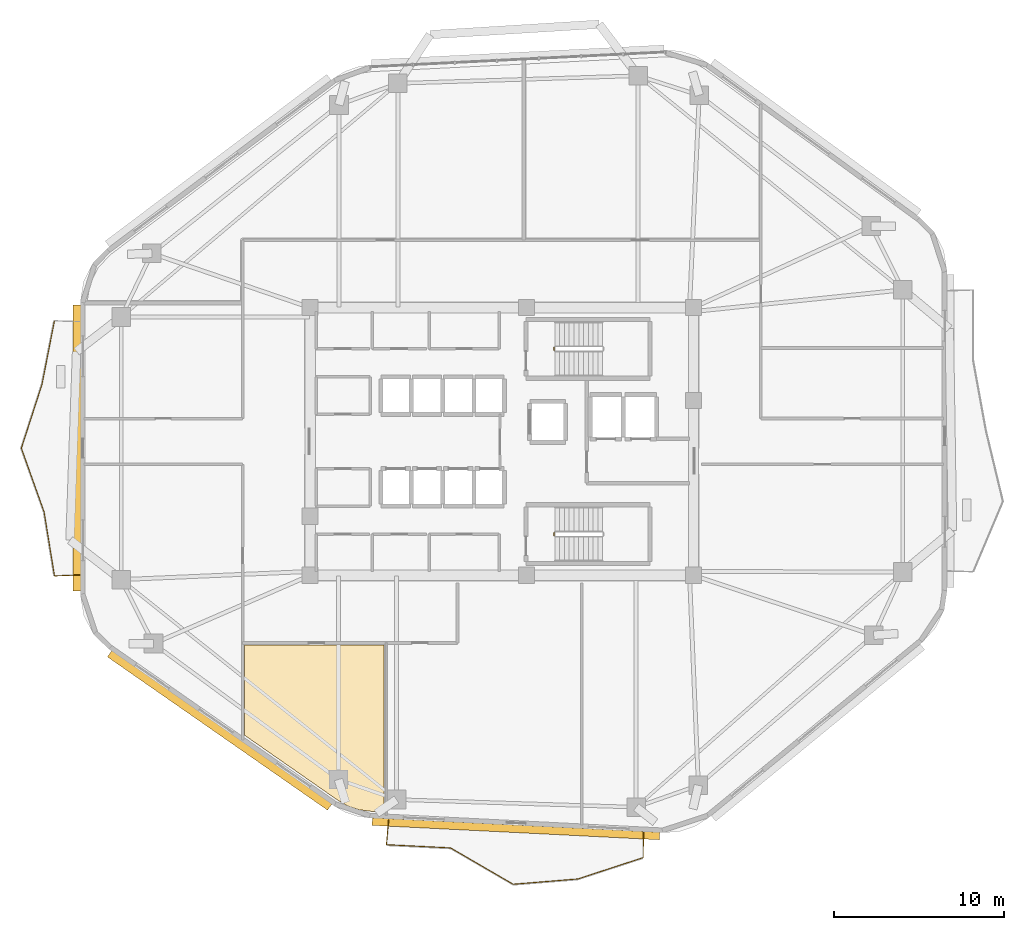
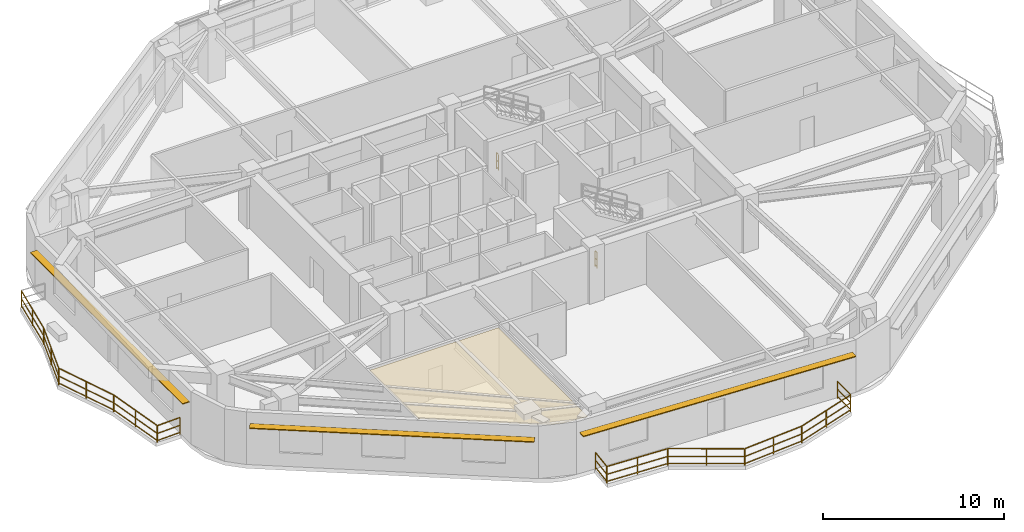
# One storey, part 12 of 14: 13 railings, 3 shading devices, 1 covering.
"""IFC4 building model written with IfcOpenShell, lengths in metres."""

from ifc_helpers import new_model, si_unit, direction, frame, origin, origin_2d, place, context, subcontext, project, spatial, polyline, rectangle, outline, extrude, material, layer, layer_set, type_object, element, save


model = new_model("IFC4")

# Units and contexts
model_context = context("Model", 3, precision=1e-05, world=origin(), true_north=direction((0.0, 1.0)))
body_context = subcontext(model_context, "Body", "Model", "MODEL_VIEW")
ifc_project = project(units=[si_unit("LENGTHUNIT", "METRE"), si_unit("AREAUNIT", "SQUARE_METRE"), si_unit("VOLUMEUNIT", "CUBIC_METRE"), si_unit("PLANEANGLEUNIT", "RADIAN"), si_unit("MASSUNIT", "GRAM", prefix="KILO")], contexts=[model_context])

# Site, building, storey
site_placement = place(None, origin())
site = spatial("IfcSite", under=ifc_project, at=site_placement, CompositionType="ELEMENT")
building_placement = place(site_placement, origin())
building = spatial("IfcBuilding", under=site, at=building_placement, Name="Zulverin Broadcast Headquarters", CompositionType="ELEMENT")
storey_placement = place(building_placement, frame((0.0, 0.0, 147.800048828125)))
storey = spatial("IfcBuildingStorey", under=building, at=storey_placement, Name="L37", CompositionType="ELEMENT", Elevation=147.800048828125)

# Covering
ifc_material_1 = material(Name="Perforated pale-metal acoustic baffle ceiling", Category="aluminium")
ifc_layer_1 = layer(ifc_material_1, 0.0400390625, Name="Perforated pale-metal acoustic baffle ceiling", Category="aluminium")
ifc_layer_set_1 = layer_set([ifc_layer_1], Name="Perforated pale-metal acoustic baffle ceiling")
covering_type = type_object("IfcCoveringType", Name="COV-CEIL-ACOU", PredefinedType="CEILING", material=ifc_layer_set_1)
covering_placement = place(storey_placement, frame((0.0, 0.0, 3.35986328125)))
element("IfcCovering", 1, at=covering_placement, inside=storey, type_object=covering_type, Name="L37 Acoustic Baffle Ceiling 03", PredefinedType="CEILING", context=body_context, shape_type="SweptSolid", body=[
    extrude(outline(polyline([(27.947998046875, 3.748046875), (28.56396484375, 3.535888671875), (29.22802734375, 3.444091796875), (30.080078125, 3.39990234375), (30.080078125, 13.23193359375), (21.8720703125, 13.23193359375), (21.8720703125, 7.907958984375), (27.367919921875, 4.075927734375), (27.947998046875, 3.748046875)])), origin(), (0.0, 0.0, 1.0), 0.0400390625),
])

# Railings
ifc_material_2 = material(Name="Brushed stainless steel & laminated glass balustrade", Category="steel")
railing_type_1 = type_object("IfcRailingType", Name="RL-GUARD-1150", PredefinedType="GUARDRAIL", material=ifc_material_2)
railing_1_placement = place(storey_placement, frame((30.344482421875, 2.94580078125, 0.0)))
element("IfcRailing", 2, at=railing_1_placement, inside=storey, type_object=railing_type_1, Name="L37 Vertical-Forest Balcony Guardrail BAL_S Segment 01", PredefinedType="GUARDRAIL", context=body_context, shape_type="SweptSolid", body=[
    extrude(rectangle(XDim=0.048095703125, YDim=0.048095703125, at=origin_2d()), frame((0.0, 0.0, 1.1259765625), z_axis=(-0.090580785215, -0.995889110971, 0.0), x_axis=(0.995889110971, -0.090580785215, 0.0)), (0.0, 0.0, 1.0), 1.46630859375),
    extrude(rectangle(XDim=0.0419921875, YDim=0.0419921875, at=origin_2d()), frame((0.0, 0.0, 0.597900390625), z_axis=(-0.090580785215, -0.995889110971, 0.0), x_axis=(0.995889110971, -0.090580785215, 0.0)), (0.0, 0.0, 1.0), 1.46630859375),
    extrude(rectangle(XDim=0.0419921875, YDim=0.0419921875, at=origin_2d()), frame((0.0, 0.0, 0.1201171875), z_axis=(-0.090580785215, -0.995889110971, 0.0), x_axis=(0.995889110971, -0.090580785215, 0.0)), (0.0, 0.0, 1.0), 1.46630859375),
    extrude(rectangle(XDim=0.0419921875, YDim=0.0419921875, at=origin_2d()), origin(), (0.0, 0.0, 1.0), 1.101806640625),
    extrude(rectangle(XDim=0.0419921875, YDim=0.0419921875, at=origin_2d()), frame((-0.1328125, -1.460205078125, 0.0)), (0.0, 0.0, 1.0), 1.101806640625),
])
railing_2_placement = place(storey_placement, frame((30.225341796875, 1.469970703125, 0.0)))
element("IfcRailing", 3, at=railing_2_placement, inside=storey, type_object=railing_type_1, Name="L37 Vertical-Forest Balcony Guardrail BAL_S Segment 02", PredefinedType="GUARDRAIL", context=body_context, shape_type="SweptSolid", body=[
    extrude(rectangle(XDim=0.048095703125, YDim=0.048095703125, at=origin_2d()), frame((0.0, 0.0, 1.1259765625), z_axis=(0.998744865879, -0.050086853375, 0.0), x_axis=(0.050086853375, 0.998744865879, 0.0)), (0.0, 0.0, 1.0), 3.753173828125),
    extrude(rectangle(XDim=0.0419921875, YDim=0.0419921875, at=origin_2d()), frame((0.0, 0.0, 0.597900390625), z_axis=(0.998744865879, -0.050086853375, 0.0), x_axis=(0.050086853375, 0.998744865879, 0.0)), (0.0, 0.0, 1.0), 3.753173828125),
    extrude(rectangle(XDim=0.0419921875, YDim=0.0419921875, at=origin_2d()), frame((0.0, 0.0, 0.1201171875), z_axis=(0.998744865879, -0.050086853375, 0.0), x_axis=(0.050086853375, 0.998744865879, 0.0)), (0.0, 0.0, 1.0), 3.753173828125),
    extrude(rectangle(XDim=0.0419921875, YDim=0.0419921875, at=origin_2d()), origin(), (0.0, 0.0, 1.0), 1.101806640625),
    extrude(rectangle(XDim=0.0419921875, YDim=0.0419921875, at=origin_2d()), frame((1.874267578125, -0.093994140625, 0.0)), (0.0, 0.0, 1.0), 1.101806640625),
    extrude(rectangle(XDim=0.0419921875, YDim=0.0419921875, at=origin_2d()), frame((3.74853515625, -0.18798828125, 0.0)), (0.0, 0.0, 1.0), 1.101806640625),
])
railing_3_placement = place(storey_placement, frame((34.001708984375, 1.273681640625, 0.0)))
element("IfcRailing", 4, at=railing_3_placement, inside=storey, type_object=railing_type_1, Name="L37 Vertical-Forest Balcony Guardrail BAL_S Segment 03", PredefinedType="GUARDRAIL", context=body_context, shape_type="SweptSolid", body=[
    extrude(rectangle(XDim=0.048095703125, YDim=0.048095703125, at=origin_2d()), frame((0.0, 0.0, 1.1259765625), z_axis=(0.864795420214, -0.502124368236, 0.0), x_axis=(0.502124368236, 0.864795420214, 0.0)), (0.0, 0.0, 1.0), 4.22607421875),
    extrude(rectangle(XDim=0.0419921875, YDim=0.0419921875, at=origin_2d()), frame((0.0, 0.0, 0.597900390625), z_axis=(0.864795420214, -0.502124368236, 0.0), x_axis=(0.502124368236, 0.864795420214, 0.0)), (0.0, 0.0, 1.0), 4.22607421875),
    extrude(rectangle(XDim=0.0419921875, YDim=0.0419921875, at=origin_2d()), frame((0.0, 0.0, 0.1201171875), z_axis=(0.864795420214, -0.502124368236, 0.0), x_axis=(0.502124368236, 0.864795420214, 0.0)), (0.0, 0.0, 1.0), 4.22607421875),
    extrude(rectangle(XDim=0.0419921875, YDim=0.0419921875, at=origin_2d()), origin(), (0.0, 0.0, 1.0), 1.101806640625),
    extrude(rectangle(XDim=0.0419921875, YDim=0.0419921875, at=origin_2d()), frame((1.827392578125, -1.06103515625, 0.0)), (0.0, 0.0, 1.0), 1.101806640625),
    extrude(rectangle(XDim=0.0419921875, YDim=0.0419921875, at=origin_2d()), frame((3.65478515625, -2.1220703125, 0.0)), (0.0, 0.0, 1.0), 1.101806640625),
])
railing_4_placement = place(storey_placement, frame((37.6845703125, -0.854736328125, 0.0)))
element("IfcRailing", 5, at=railing_4_placement, inside=storey, type_object=railing_type_1, Name="L37 Vertical-Forest Balcony Guardrail BAL_S Segment 04", PredefinedType="GUARDRAIL", context=body_context, shape_type="SweptSolid", body=[
    extrude(rectangle(XDim=0.048095703125, YDim=0.048095703125, at=origin_2d()), frame((0.0, 0.0, 1.1259765625), z_axis=(0.996693574296, 0.081252193557, 0.0), x_axis=(-0.081252193557, 0.996693574296, 0.0)), (0.0, 0.0, 1.0), 3.785888671875),
    extrude(rectangle(XDim=0.0419921875, YDim=0.0419921875, at=origin_2d()), frame((0.0, 0.0, 0.597900390625), z_axis=(0.996693574296, 0.081252193557, 0.0), x_axis=(-0.081252193557, 0.996693574296, 0.0)), (0.0, 0.0, 1.0), 3.785888671875),
    extrude(rectangle(XDim=0.0419921875, YDim=0.0419921875, at=origin_2d()), frame((0.0, 0.0, 0.1201171875), z_axis=(0.996693574296, 0.081252193557, 0.0), x_axis=(-0.081252193557, 0.996693574296, 0.0)), (0.0, 0.0, 1.0), 3.785888671875),
    extrude(rectangle(XDim=0.0419921875, YDim=0.0419921875, at=origin_2d()), origin(), (0.0, 0.0, 1.0), 1.101806640625),
    extrude(rectangle(XDim=0.0419921875, YDim=0.0419921875, at=origin_2d()), frame((1.88671875, 0.15380859375, 0.0)), (0.0, 0.0, 1.0), 1.101806640625),
    extrude(rectangle(XDim=0.0419921875, YDim=0.0419921875, at=origin_2d()), frame((3.7734375, 0.3076171875, 0.0)), (0.0, 0.0, 1.0), 1.101806640625),
])
railing_5_placement = place(storey_placement, frame((41.4873046875, -0.541259765625, 0.0)))
element("IfcRailing", 6, at=railing_5_placement, inside=storey, type_object=railing_type_1, Name="L37 Vertical-Forest Balcony Guardrail BAL_S Segment 05", PredefinedType="GUARDRAIL", context=body_context, shape_type="SweptSolid", body=[
    extrude(rectangle(XDim=0.048095703125, YDim=0.048095703125, at=origin_2d()), frame((0.0, 0.0, 1.1259765625), z_axis=(0.95054255592, 0.310594348604, 0.0), x_axis=(-0.310594348604, 0.95054255592, 0.0)), (0.0, 0.0, 1.0), 4.021484375),
    extrude(rectangle(XDim=0.0419921875, YDim=0.0419921875, at=origin_2d()), frame((0.0, 0.0, 0.597900390625), z_axis=(0.95054255592, 0.310594348604, 0.0), x_axis=(-0.310594348604, 0.95054255592, 0.0)), (0.0, 0.0, 1.0), 4.021484375),
    extrude(rectangle(XDim=0.0419921875, YDim=0.0419921875, at=origin_2d()), frame((0.0, 0.0, 0.1201171875), z_axis=(0.95054255592, 0.310594348604, 0.0), x_axis=(-0.310594348604, 0.95054255592, 0.0)), (0.0, 0.0, 1.0), 4.021484375),
    extrude(rectangle(XDim=0.0419921875, YDim=0.0419921875, at=origin_2d()), origin(), (0.0, 0.0, 1.0), 1.101806640625),
    extrude(rectangle(XDim=0.0419921875, YDim=0.0419921875, at=origin_2d()), frame((1.9111328125, 0.62451171875, 0.0)), (0.0, 0.0, 1.0), 1.101806640625),
    extrude(rectangle(XDim=0.0419921875, YDim=0.0419921875, at=origin_2d()), frame((3.822509765625, 1.2490234375, 0.0)), (0.0, 0.0, 1.0), 1.101806640625),
])
railing_6_placement = place(storey_placement, frame((45.32421875, 0.7275390625, 0.0)))
element("IfcRailing", 7, at=railing_6_placement, inside=storey, type_object=railing_type_1, Name="L37 Vertical-Forest Balcony Guardrail BAL_S Segment 06", PredefinedType="GUARDRAIL", context=body_context, shape_type="SweptSolid", body=[
    extrude(rectangle(XDim=0.048095703125, YDim=0.048095703125, at=origin_2d()), frame((0.0, 0.0, 1.1259765625), z_axis=(0.009658167329, 0.999953358814, 0.0), x_axis=(-0.999953358814, 0.009658167329, 0.0)), (0.0, 0.0, 1.0), 1.466064453125),
    extrude(rectangle(XDim=0.0419921875, YDim=0.0419921875, at=origin_2d()), frame((0.0, 0.0, 0.597900390625), z_axis=(0.009658167329, 0.999953358814, 0.0), x_axis=(-0.999953358814, 0.009658167329, 0.0)), (0.0, 0.0, 1.0), 1.466064453125),
    extrude(rectangle(XDim=0.0419921875, YDim=0.0419921875, at=origin_2d()), frame((0.0, 0.0, 0.1201171875), z_axis=(0.009658167329, 0.999953358814, 0.0), x_axis=(-0.999953358814, 0.009658167329, 0.0)), (0.0, 0.0, 1.0), 1.466064453125),
    extrude(rectangle(XDim=0.0419921875, YDim=0.0419921875, at=origin_2d()), origin(), (0.0, 0.0, 1.0), 1.101806640625),
    extrude(rectangle(XDim=0.0419921875, YDim=0.0419921875, at=origin_2d()), frame((0.01416015625, 1.466064453125, 0.0)), (0.0, 0.0, 1.0), 1.101806640625),
])
railing_7_placement = place(storey_placement, frame((10.677001953125, 32.30419921875, 0.0)))
element("IfcRailing", 8, at=railing_7_placement, inside=storey, type_object=railing_type_1, Name="L37 Vertical-Forest Balcony Guardrail BAL_W Segment 02", PredefinedType="GUARDRAIL", context=body_context, shape_type="SweptSolid", body=[
    extrude(rectangle(XDim=0.048095703125, YDim=0.048095703125, at=origin_2d()), frame((0.0, 0.0, 1.1259765625), z_axis=(-0.191887818381, -0.981416866147, 0.0), x_axis=(0.981416866147, -0.191887818381, 0.0)), (0.0, 0.0, 1.0), 3.799072265625),
    extrude(rectangle(XDim=0.0419921875, YDim=0.0419921875, at=origin_2d()), frame((0.0, 0.0, 0.597900390625), z_axis=(-0.191887818381, -0.981416866147, 0.0), x_axis=(0.981416866147, -0.191887818381, 0.0)), (0.0, 0.0, 1.0), 3.799072265625),
    extrude(rectangle(XDim=0.0419921875, YDim=0.0419921875, at=origin_2d()), frame((0.0, 0.0, 0.1201171875), z_axis=(-0.191887818381, -0.981416866147, 0.0), x_axis=(0.981416866147, -0.191887818381, 0.0)), (0.0, 0.0, 1.0), 3.799072265625),
    extrude(rectangle(XDim=0.0419921875, YDim=0.0419921875, at=origin_2d()), origin(), (0.0, 0.0, 1.0), 1.101806640625),
    extrude(rectangle(XDim=0.0419921875, YDim=0.0419921875, at=origin_2d()), frame((-0.364501953125, -1.8642578125, 0.0)), (0.0, 0.0, 1.0), 1.101806640625),
    extrude(rectangle(XDim=0.0419921875, YDim=0.0419921875, at=origin_2d()), frame((-0.72900390625, -3.728515625, 0.0)), (0.0, 0.0, 1.0), 1.101806640625),
])
railing_8_placement = place(storey_placement, frame((9.9404296875, 28.546630859375, 0.0)))
element("IfcRailing", 9, at=railing_8_placement, inside=storey, type_object=railing_type_1, Name="L37 Vertical-Forest Balcony Guardrail BAL_W Segment 03", PredefinedType="GUARDRAIL", context=body_context, shape_type="SweptSolid", body=[
    extrude(rectangle(XDim=0.048095703125, YDim=0.048095703125, at=origin_2d()), frame((0.0, 0.0, 1.1259765625), z_axis=(-0.307637855975, -0.951503520525, 0.0), x_axis=(0.951503520525, -0.307637855975, 0.0)), (0.0, 0.0, 1.0), 3.919677734375),
    extrude(rectangle(XDim=0.0419921875, YDim=0.0419921875, at=origin_2d()), frame((0.0, 0.0, 0.597900390625), z_axis=(-0.307637855975, -0.951503520525, 0.0), x_axis=(0.951503520525, -0.307637855975, 0.0)), (0.0, 0.0, 1.0), 3.919677734375),
    extrude(rectangle(XDim=0.0419921875, YDim=0.0419921875, at=origin_2d()), frame((0.0, 0.0, 0.1201171875), z_axis=(-0.307637855975, -0.951503520525, 0.0), x_axis=(0.951503520525, -0.307637855975, 0.0)), (0.0, 0.0, 1.0), 3.919677734375),
    extrude(rectangle(XDim=0.0419921875, YDim=0.0419921875, at=origin_2d()), origin(), (0.0, 0.0, 1.0), 1.101806640625),
    extrude(rectangle(XDim=0.0419921875, YDim=0.0419921875, at=origin_2d()), frame((-0.60302734375, -1.86474609375, 0.0)), (0.0, 0.0, 1.0), 1.101806640625),
    extrude(rectangle(XDim=0.0419921875, YDim=0.0419921875, at=origin_2d()), frame((-1.205810546875, -3.7294921875, 0.0)), (0.0, 0.0, 1.0), 1.101806640625),
])
railing_9_placement = place(storey_placement, frame((8.735107421875, 24.788818359375, 0.0)))
element("IfcRailing", 10, at=railing_9_placement, inside=storey, type_object=railing_type_1, Name="L37 Vertical-Forest Balcony Guardrail BAL_W Segment 04", PredefinedType="GUARDRAIL", context=body_context, shape_type="SweptSolid", body=[
    extrude(rectangle(XDim=0.048095703125, YDim=0.048095703125, at=origin_2d()), frame((0.0, 0.0, 1.1259765625), z_axis=(0.335730901739, -0.941957940472, 0.0), x_axis=(0.941957940472, 0.335730901739, 0.0)), (0.0, 0.0, 1.0), 3.95947265625),
    extrude(rectangle(XDim=0.0419921875, YDim=0.0419921875, at=origin_2d()), frame((0.0, 0.0, 0.597900390625), z_axis=(0.335730901739, -0.941957940472, 0.0), x_axis=(0.941957940472, 0.335730901739, 0.0)), (0.0, 0.0, 1.0), 3.95947265625),
    extrude(rectangle(XDim=0.0419921875, YDim=0.0419921875, at=origin_2d()), frame((0.0, 0.0, 0.1201171875), z_axis=(0.335730901739, -0.941957940472, 0.0), x_axis=(0.941957940472, 0.335730901739, 0.0)), (0.0, 0.0, 1.0), 3.95947265625),
    extrude(rectangle(XDim=0.0419921875, YDim=0.0419921875, at=origin_2d()), origin(), (0.0, 0.0, 1.0), 1.101806640625),
    extrude(rectangle(XDim=0.0419921875, YDim=0.0419921875, at=origin_2d()), frame((0.66455078125, -1.86474609375, 0.0)), (0.0, 0.0, 1.0), 1.101806640625),
    extrude(rectangle(XDim=0.0419921875, YDim=0.0419921875, at=origin_2d()), frame((1.329345703125, -3.729736328125, 0.0)), (0.0, 0.0, 1.0), 1.101806640625),
])
railing_10_placement = place(storey_placement, frame((10.07177734375, 21.030029296875, 0.0)))
element("IfcRailing", 11, at=railing_10_placement, inside=storey, type_object=railing_type_1, Name="L37 Vertical-Forest Balcony Guardrail BAL_W Segment 05", PredefinedType="GUARDRAIL", context=body_context, shape_type="SweptSolid", body=[
    extrude(rectangle(XDim=0.048095703125, YDim=0.048095703125, at=origin_2d()), frame((0.0, 0.0, 1.1259765625), z_axis=(0.160362221168, -0.987058234362, 0.0), x_axis=(0.987058234362, 0.160362221168, 0.0)), (0.0, 0.0, 1.0), 3.777099609375),
    extrude(rectangle(XDim=0.0419921875, YDim=0.0419921875, at=origin_2d()), frame((0.0, 0.0, 0.597900390625), z_axis=(0.160362221168, -0.987058234362, 0.0), x_axis=(0.987058234362, 0.160362221168, 0.0)), (0.0, 0.0, 1.0), 3.777099609375),
    extrude(rectangle(XDim=0.0419921875, YDim=0.0419921875, at=origin_2d()), frame((0.0, 0.0, 0.1201171875), z_axis=(0.160362221168, -0.987058234362, 0.0), x_axis=(0.987058234362, 0.160362221168, 0.0)), (0.0, 0.0, 1.0), 3.777099609375),
    extrude(rectangle(XDim=0.0419921875, YDim=0.0419921875, at=origin_2d()), origin(), (0.0, 0.0, 1.0), 1.101806640625),
    extrude(rectangle(XDim=0.0419921875, YDim=0.0419921875, at=origin_2d()), frame((0.302734375, -1.8642578125, 0.0)), (0.0, 0.0, 1.0), 1.101806640625),
    extrude(rectangle(XDim=0.0419921875, YDim=0.0419921875, at=origin_2d()), frame((0.605712890625, -3.728271484375, 0.0)), (0.0, 0.0, 1.0), 1.101806640625),
])
railing_11_placement = place(storey_placement, frame((10.695068359375, 17.28759765625, 0.0)))
element("IfcRailing", 12, at=railing_11_placement, inside=storey, type_object=railing_type_1, Name="L37 Vertical-Forest Balcony Guardrail BAL_W Segment 06", PredefinedType="GUARDRAIL", context=body_context, shape_type="SweptSolid", body=[
    extrude(rectangle(XDim=0.048095703125, YDim=0.048095703125, at=origin_2d()), frame((0.0, 0.0, 1.1259765625), z_axis=(0.99918088253, 0.040466825742, 0.0), x_axis=(-0.040466825742, 0.99918088253, 0.0)), (0.0, 0.0, 1.0), 1.466064453125),
    extrude(rectangle(XDim=0.0419921875, YDim=0.0419921875, at=origin_2d()), frame((0.0, 0.0, 0.597900390625), z_axis=(0.99918088253, 0.040466825742, 0.0), x_axis=(-0.040466825742, 0.99918088253, 0.0)), (0.0, 0.0, 1.0), 1.466064453125),
    extrude(rectangle(XDim=0.0419921875, YDim=0.0419921875, at=origin_2d()), frame((0.0, 0.0, 0.1201171875), z_axis=(0.99918088253, 0.040466825742, 0.0), x_axis=(-0.040466825742, 0.99918088253, 0.0)), (0.0, 0.0, 1.0), 1.466064453125),
    extrude(rectangle(XDim=0.0419921875, YDim=0.0419921875, at=origin_2d()), origin(), (0.0, 0.0, 1.0), 1.101806640625),
    extrude(rectangle(XDim=0.0419921875, YDim=0.0419921875, at=origin_2d()), frame((1.46484375, 0.059326171875, 0.0)), (0.0, 0.0, 1.0), 1.101806640625),
])
ifc_material_3 = material(Name="Painted galvanized steel tubular guardrail S355JR", Category="steel")
railing_type_2 = type_object("IfcRailingType", Name="RL-ST-GUARD", PredefinedType="GUARDRAIL", material=ifc_material_3)
railing_12_placement = place(storey_placement, frame((40.080078125, 30.550048828125, 0.0)))
element("IfcRailing", 13, at=railing_12_placement, inside=storey, type_object=railing_type_2, Name="L37 ST-1 stair guard 4", PredefinedType="GUARDRAIL", context=body_context, shape_type="SweptSolid", body=[
    extrude(rectangle(XDim=0.048095703125, YDim=0.048095703125, at=origin_2d()), frame((0.0, 0.0, 1.076171875), z_axis=(0.0, 1.0, 0.0), x_axis=(-1.0, 0.0, 0.0)), (0.0, 0.0, 1.0), 0.199951171875),
    extrude(rectangle(XDim=0.0419921875, YDim=0.0419921875, at=origin_2d()), frame((0.0, 0.0, 0.572021484375), z_axis=(0.0, 1.0, 0.0), x_axis=(-1.0, 0.0, 0.0)), (0.0, 0.0, 1.0), 0.199951171875),
    extrude(rectangle(XDim=0.0419921875, YDim=0.0419921875, at=origin_2d()), frame((0.0, 0.0, 0.1201171875), z_axis=(0.0, 1.0, 0.0), x_axis=(-1.0, 0.0, 0.0)), (0.0, 0.0, 1.0), 0.199951171875),
    extrude(rectangle(XDim=0.0419921875, YDim=0.0419921875, at=origin_2d()), origin(), (0.0, 0.0, 1.0), 1.052001953125),
    extrude(rectangle(XDim=0.0419921875, YDim=0.0419921875, at=origin_2d()), frame((0.0, 0.199951171875, 0.0)), (0.0, 0.0, 1.0), 1.052001953125),
])
railing_13_placement = place(storey_placement, frame((40.080078125, 19.64990234375, 0.0)))
element("IfcRailing", 14, at=railing_13_placement, inside=storey, type_object=railing_type_2, Name="L37 ST-2 stair guard 4", PredefinedType="GUARDRAIL", context=body_context, shape_type="SweptSolid", body=[
    extrude(rectangle(XDim=0.048095703125, YDim=0.048095703125, at=origin_2d()), frame((0.0, 0.0, 1.076171875), z_axis=(0.0, 1.0, 0.0), x_axis=(-1.0, 0.0, 0.0)), (0.0, 0.0, 1.0), 0.2001953125),
    extrude(rectangle(XDim=0.0419921875, YDim=0.0419921875, at=origin_2d()), frame((0.0, 0.0, 0.572021484375), z_axis=(0.0, 1.0, 0.0), x_axis=(-1.0, 0.0, 0.0)), (0.0, 0.0, 1.0), 0.2001953125),
    extrude(rectangle(XDim=0.0419921875, YDim=0.0419921875, at=origin_2d()), frame((0.0, 0.0, 0.1201171875), z_axis=(0.0, 1.0, 0.0), x_axis=(-1.0, 0.0, 0.0)), (0.0, 0.0, 1.0), 0.2001953125),
    extrude(rectangle(XDim=0.0419921875, YDim=0.0419921875, at=origin_2d()), origin(), (0.0, 0.0, 1.0), 1.052001953125),
    extrude(rectangle(XDim=0.0419921875, YDim=0.0419921875, at=origin_2d()), frame((0.0, 0.2001953125, 0.0)), (0.0, 0.0, 1.0), 1.052001953125),
])

# Shading devices
ifc_material_4 = material(Name="Anodized pale-metal aluminium sunshade", Category="aluminium")
ifc_layer_2 = layer(ifc_material_4, 0.06005859375, Name="Anodized pale-metal aluminium sunshade", Category="aluminium")
ifc_layer_set_2 = layer_set([ifc_layer_2], Name="Anodized pale-metal aluminium sunshade")
shading_device_type = type_object("IfcShadingDeviceType", Name="SS-01_PALE_METAL_ALUMINIUM_SUNSHADE", PredefinedType="USERDEFINED", material=ifc_layer_set_2)
shading_device_1_placement = place(storey_placement, frame((37.83349609375, 2.409912109375, 2.7099609375), z_axis=(0.0, 0.0, 1.0), x_axis=(0.99874387485, -0.050106610841, 0.0)))
element("IfcShadingDevice", 15, at=shading_device_1_placement, inside=storey, type_object=shading_device_type, Name="L37 Horizontal Pale-Metal Sunshade Band 1", ObjectType="SUNSHADE", PredefinedType="USERDEFINED", context=body_context, shape_type="SweptSolid", body=[
    extrude(rectangle(XDim=16.932861328125, YDim=0.449951171875, at=origin_2d()), origin(), (0.0, 0.0, 1.0), 0.06005859375),
])
shading_device_2_placement = place(storey_placement, frame((12.0, 24.802978515625, 2.7099609375), z_axis=(0.0, 0.0, 1.0), x_axis=(0.0, -1.0, 0.0)))
element("IfcShadingDevice", 16, at=shading_device_2_placement, inside=storey, type_object=shading_device_type, Name="L37 Horizontal Pale-Metal Sunshade Band 7", ObjectType="SUNSHADE", PredefinedType="USERDEFINED", context=body_context, shape_type="SweptSolid", body=[
    extrude(rectangle(XDim=16.83203125, YDim=0.449951171875, at=origin_2d()), origin(), (0.0, 0.0, 1.0), 0.06005859375),
])
shading_device_3_placement = place(storey_placement, frame((20.399169921875, 8.1982421875, 2.7099609375), z_axis=(0.0, 0.0, 1.0), x_axis=(0.820695732456, -0.57136548262, 0.0)))
element("IfcShadingDevice", 17, at=shading_device_3_placement, inside=storey, type_object=shading_device_type, Name="L37 Horizontal Pale-Metal Sunshade Band 8", ObjectType="SUNSHADE", PredefinedType="USERDEFINED", context=body_context, shape_type="SweptSolid", body=[
    extrude(rectangle(XDim=15.785400390625, YDim=0.449951171875, at=origin_2d()), origin(), (0.0, 0.0, 1.0), 0.06005859375),
])

save(model, "model.ifc")
